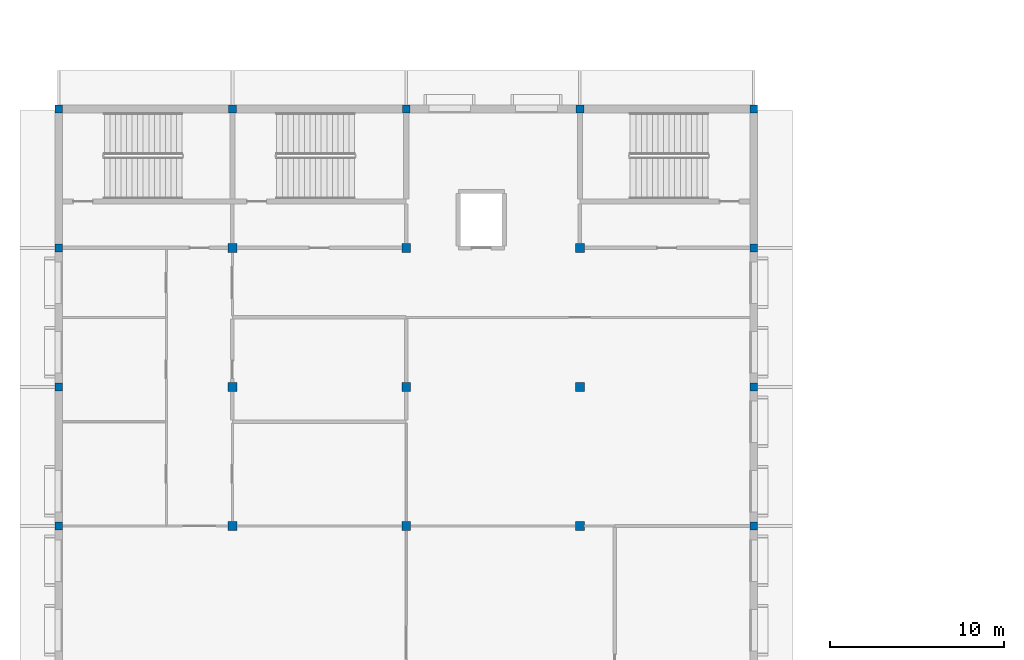
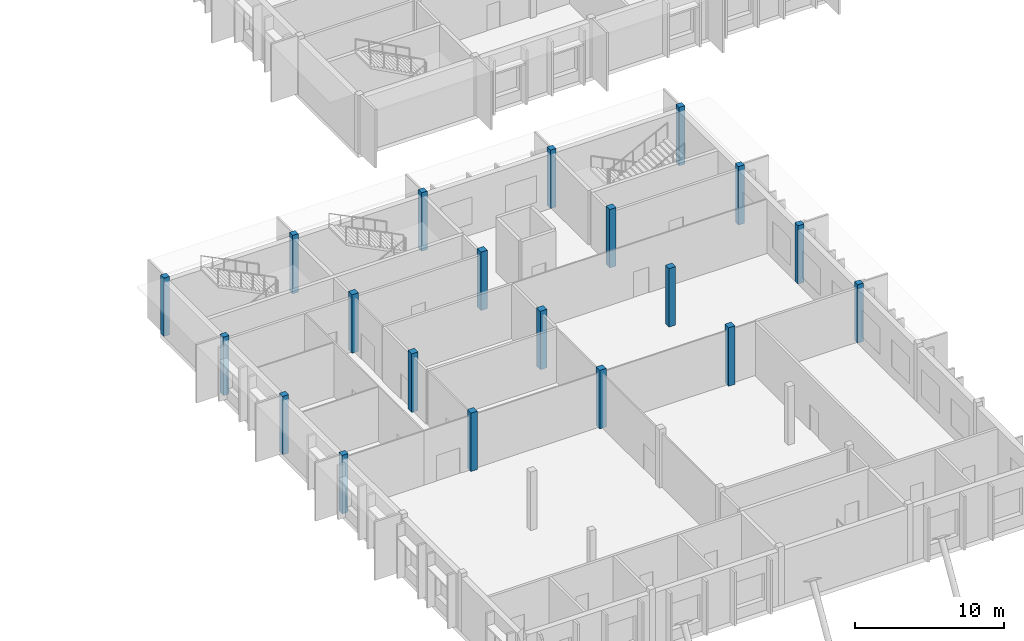
# One storey, part 3 of 182: 20 columns.
"""IFC4 building model written with IfcOpenShell, lengths in metres."""

from ifc_helpers import new_model, si_unit, direction, frame, origin, origin_2d, place, context, subcontext, project, spatial, rectangle, extrude, material, material_profile, profile_set, type_object, element, save


model = new_model("IFC4")

# Units and contexts
model_context = context("Model", 3, precision=1e-05, world=origin(), true_north=direction((0.0, 1.0)))
body_context = subcontext(model_context, "Body", "Model", "MODEL_VIEW")
ifc_project = project(units=[si_unit("LENGTHUNIT", "METRE"), si_unit("AREAUNIT", "SQUARE_METRE"), si_unit("VOLUMEUNIT", "CUBIC_METRE"), si_unit("PLANEANGLEUNIT", "RADIAN"), si_unit("MASSUNIT", "GRAM", prefix="KILO")], contexts=[model_context])

# Site, building, storey
site_placement = place(None, origin())
site = spatial("IfcSite", under=ifc_project, at=site_placement, CompositionType="ELEMENT")
building_placement = place(site_placement, origin())
building = spatial("IfcBuilding", under=site, at=building_placement, Name="Okhra Congress Centre", CompositionType="ELEMENT")
storey_placement = place(building_placement, frame((0.0, 0.0, 7.199951171875)))
storey = spatial("IfcBuildingStorey", under=building, at=storey_placement, Name="L01", CompositionType="ELEMENT", Elevation=7.199951171875)

# Columns
ifc_material = material(Name="Concrete C35/45", Category="concrete")
ifc_material_profile_1 = material_profile(ifc_material, rectangle(XDim=0.449951171875, YDim=0.449951171875, at=origin_2d()), Name="RC 450x450")
ifc_profile_set_1 = profile_set([ifc_material_profile_1], Name="Concrete C35/45")
column_type_1 = type_object("IfcColumnType", Name="RC column 450x450 C35/45", PredefinedType="COLUMN", material=ifc_profile_set_1)
for number, where, z_axis, x_axis, name in (
    (1, (6.0, 60.0, 0.0), (0.0, 0.0, 1.0), (1.0, 0.0, 0.0), "RS.COL.L01.4"),
    (2, (6.0, 68.0, 0.0), (0.0, 0.0, 1.0), (1.0, 0.0, 0.0), "RS.COL.L01.5"),
    (3, (6.0, 76.0, 0.0), (0.0, 0.0, 1.0), (1.0, 0.0, 0.0), "RS.COL.L01.6"),
    (4, (6.0, 84.0, 0.0), (0.0, 0.0, 1.0), (1.0, 0.0, 0.0), "RS.COL.L01.7"),
    (5, (16.0, 84.0, 0.0), (0.0, 0.0, 1.0), (1.0, 0.0, 0.0), "RS.COL.L01.14"),
    (6, (26.0, 84.0, 0.0), (0.0, 0.0, 1.0), (1.0, 0.0, 0.0), "RS.COL.L01.21"),
    (7, (36.0, 84.0, 0.0), (0.0, 0.0, 1.0), (1.0, 0.0, 0.0), "RS.COL.L01.28"),
    (8, (46.0, 60.0, 0.0), (0.0, 0.0, 1.0), (1.0, 0.0, 0.0), "RS.COL.L01.32"),
    (9, (46.0, 68.0, 0.0), (0.0, 0.0, 1.0), (1.0, 0.0, 0.0), "RS.COL.L01.33"),
    (10, (46.0, 76.0, 0.0), (0.0, 0.0, 1.0), (1.0, 0.0, 0.0), "RS.COL.L01.34"),
    (11, (46.0, 84.0, 0.0), (0.0, 0.0, 1.0), (1.0, 0.0, 0.0), "RS.COL.L01.35"),
):
    element("IfcColumn", number, at=place(storey_placement, frame(where, z_axis=z_axis, x_axis=x_axis)), inside=storey, type_object=column_type_1, Name=name, PredefinedType="COLUMN", context=body_context, shape_type="SweptSolid", body=[
        extrude(rectangle(XDim=0.449951171875, YDim=0.449951171875, at=origin_2d()), origin(), (0.0, 0.0, 1.0), 4.800048828125),
    ])
ifc_material_profile_2 = material_profile(ifc_material, rectangle(XDim=0.5, YDim=0.5, at=origin_2d()), Name="RC 500x500")
ifc_profile_set_2 = profile_set([ifc_material_profile_2], Name="Concrete C35/45")
column_type_2 = type_object("IfcColumnType", Name="RC column 500x500 C35/45", PredefinedType="COLUMN", material=ifc_profile_set_2)
for number, where, z_axis, x_axis, name in (
    (12, (16.0, 60.0, 0.0), (0.0, 0.0, 1.0), (1.0, 0.0, 0.0), "RS.COL.L01.11"),
    (13, (16.0, 68.0, 0.0), (0.0, 0.0, 1.0), (1.0, 0.0, 0.0), "RS.COL.L01.12"),
    (14, (16.0, 76.0, 0.0), (0.0, 0.0, 1.0), (1.0, 0.0, 0.0), "RS.COL.L01.13"),
    (15, (26.0, 60.0, 0.0), (0.0, 0.0, 1.0), (1.0, 0.0, 0.0), "RS.COL.L01.18"),
    (16, (26.0, 68.0, 0.0), (0.0, 0.0, 1.0), (1.0, 0.0, 0.0), "RS.COL.L01.19"),
    (17, (26.0, 76.0, 0.0), (0.0, 0.0, 1.0), (1.0, 0.0, 0.0), "RS.COL.L01.20"),
    (18, (36.0, 60.0, 0.0), (0.0, 0.0, 1.0), (1.0, 0.0, 0.0), "RS.COL.L01.25"),
    (19, (36.0, 68.0, 0.0), (0.0, 0.0, 1.0), (1.0, 0.0, 0.0), "RS.COL.L01.26"),
    (20, (36.0, 76.0, 0.0), (0.0, 0.0, 1.0), (1.0, 0.0, 0.0), "RS.COL.L01.27"),
):
    element("IfcColumn", number, at=place(storey_placement, frame(where, z_axis=z_axis, x_axis=x_axis)), inside=storey, type_object=column_type_2, Name=name, PredefinedType="COLUMN", context=body_context, shape_type="SweptSolid", body=[
        extrude(rectangle(XDim=0.5, YDim=0.5, at=origin_2d()), origin(), (0.0, 0.0, 1.0), 4.800048828125),
    ])

save(model, "model.ifc")
